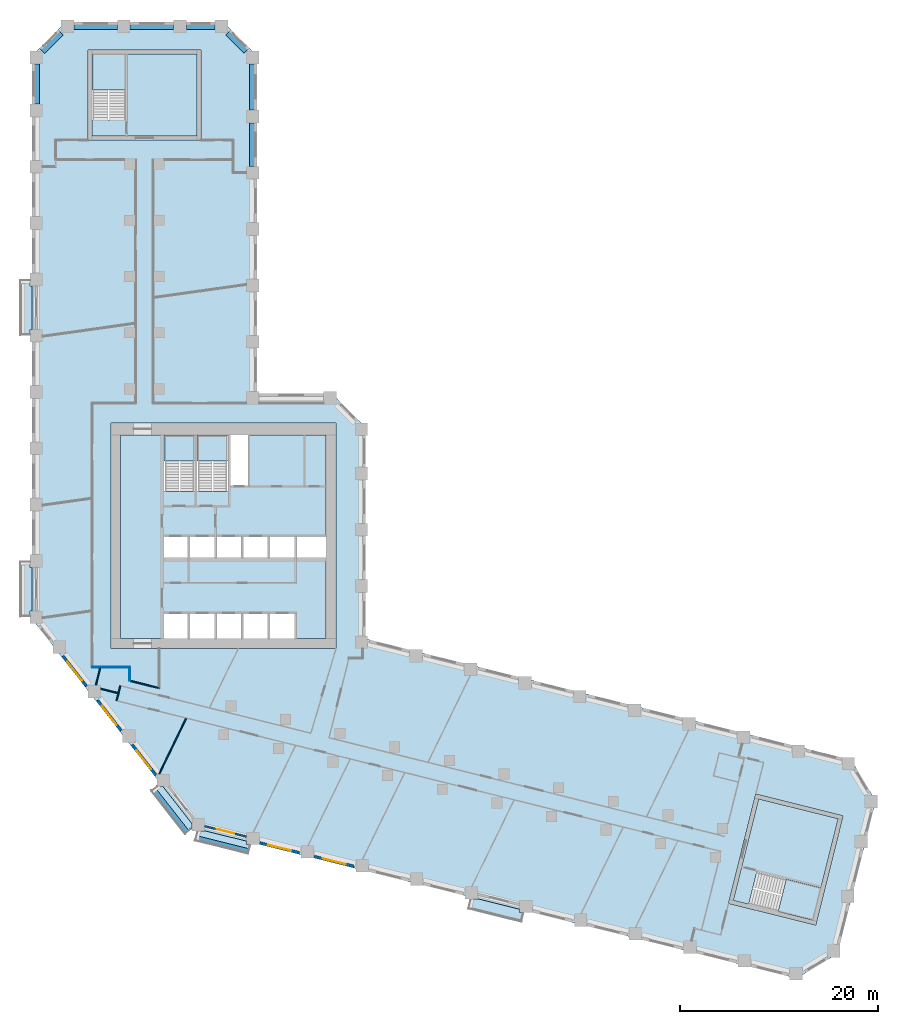
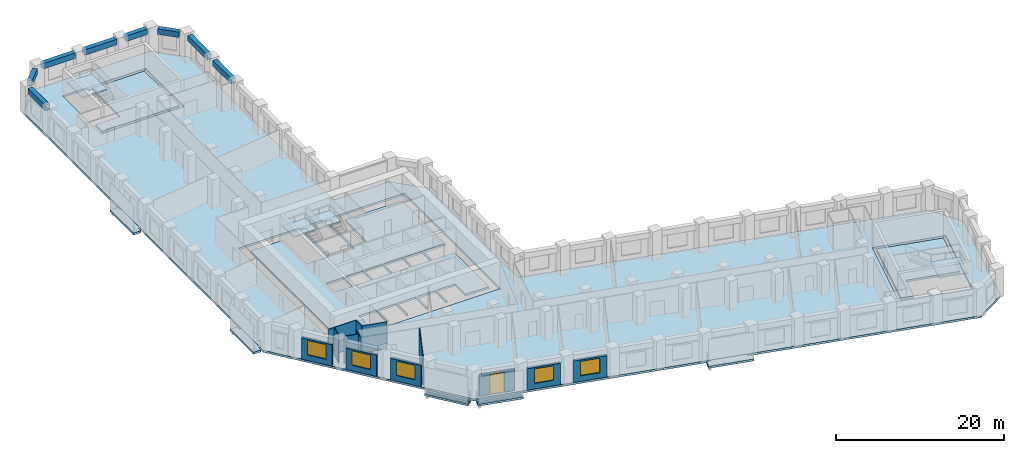
# One storey, part 2 of 11: 15 walls, 13 slabs, 8 beams, 5 windows, 1 door, 6 openings, 4 elements without a shape of their own.
"""IFC4 building model written with IfcOpenShell, lengths in metres."""

from ifc_helpers import new_model, si_unit, direction, frame, frame_2d, origin, origin_2d, place, context, subcontext, project, spatial, polyline, rectangle, outline, extrude, material, layer, layer_set, material_profile, profile_set, type_object, element, fill, aggregate, save


model = new_model("IFC4")

# Units and contexts
model_context = context("Model", 3, precision=1e-05, world=origin(), true_north=direction((0.0, 1.0)))
body_context = subcontext(model_context, "Body", "Model", "MODEL_VIEW")
ifc_project = project(units=[si_unit("LENGTHUNIT", "METRE"), si_unit("AREAUNIT", "SQUARE_METRE"), si_unit("VOLUMEUNIT", "CUBIC_METRE"), si_unit("PLANEANGLEUNIT", "RADIAN"), si_unit("MASSUNIT", "GRAM", prefix="KILO")], contexts=[model_context])

# Site, building, storey
site_placement = place(None, origin())
site = spatial("IfcSite", under=ifc_project, at=site_placement, CompositionType="ELEMENT")
building_placement = place(site_placement, origin())
building = spatial("IfcBuilding", under=site, at=building_placement, Name="Meshkara Civic Tower", CompositionType="ELEMENT")
storey_placement = place(building_placement, frame((0.0, 0.0, 101.39990234375)))
storey = spatial("IfcBuildingStorey", under=building, at=storey_placement, Name="L22", CompositionType="ELEMENT", Elevation=101.39990234375)

# Beams
ifc_material_1 = material(Name="Concrete C70", Category="concrete")
ifc_material_profile = material_profile(ifc_material_1, rectangle(XDim=0.60009765625, YDim=0.800048828125, at=origin_2d()))
ifc_profile_set = profile_set([ifc_material_profile], Name="Concrete C70")
beam_type = type_object("IfcBeamType", Name="Spandrel beam RC 600x800 C70", PredefinedType="BEAM", material=ifc_profile_set)
beam_1_placement = place(storey_placement, frame((22.35009765625, 62.89501953125, 3.5), z_axis=(0.0, 1.0, 0.0), x_axis=(-1.0, 0.0, 0.0)))
element("IfcBeam", 1, at=beam_1_placement, inside=storey, type_object=beam_type, Name="Spandrel beam AE04-AE05", PredefinedType="BEAM", context=body_context, shape_type="SweptSolid", body=[
    extrude(rectangle(XDim=0.60009765625, YDim=0.800048828125, at=origin_2d()), origin(), (0.0, 0.0, 1.0), 4.409912109375),
])
beam_2_placement = place(storey_placement, frame((22.35009765625, 68.594970703125, 3.5), z_axis=(0.0, 1.0, 0.0), x_axis=(-1.0, 0.0, 0.0)))
element("IfcBeam", 2, at=beam_2_placement, inside=storey, type_object=beam_type, Name="Spandrel beam AE05-AEEP1", PredefinedType="BEAM", context=body_context, shape_type="SweptSolid", body=[
    extrude(rectangle(XDim=0.60009765625, YDim=0.800048828125, at=origin_2d()), origin(), (0.0, 0.0, 1.0), 4.674072265625),
])
beam_3_placement = place(storey_placement, frame((21.70361328125, 74.560546875, 3.5), z_axis=(-0.707106781187, 0.707106781187, 0.0), x_axis=(-0.707106781187, -0.707106781187, 0.0)))
element("IfcBeam", 3, at=beam_3_placement, inside=storey, type_object=beam_type, Name="Spandrel beam AEEP1-ATiEP1", PredefinedType="BEAM", context=body_context, shape_type="SweptSolid", body=[
    extrude(rectangle(XDim=0.60009765625, YDim=0.800048828125, at=origin_2d()), origin(), (0.0, 0.0, 1.0), 2.634765625),
])
beam_4_placement = place(storey_placement, frame((18.549072265625, 77.070068359375, 3.5), z_axis=(-1.0, 0.0, 0.0), x_axis=(0.0, -1.0, 0.0)))
element("IfcBeam", 4, at=beam_4_placement, inside=storey, type_object=beam_type, Name="Spandrel beam AT02-P1-ATiEP1", PredefinedType="BEAM", context=body_context, shape_type="SweptSolid", body=[
    extrude(rectangle(XDim=0.60009765625, YDim=0.800048828125, at=origin_2d()), origin(), (0.0, 0.0, 1.0), 2.898193359375),
])
beam_5_placement = place(storey_placement, frame((14.361083984375, 77.070068359375, 3.5), z_axis=(-1.0, 0.0, 0.0), x_axis=(0.0, -1.0, 0.0)))
element("IfcBeam", 5, at=beam_5_placement, inside=storey, type_object=beam_type, Name="Spandrel beam AT01-P1-AT02-P1", PredefinedType="BEAM", context=body_context, shape_type="SweptSolid", body=[
    extrude(rectangle(XDim=0.60009765625, YDim=0.800048828125, at=origin_2d()), origin(), (0.0, 0.0, 1.0), 4.41015625),
])
beam_6_placement = place(storey_placement, frame((8.660888671875, 77.070068359375, 3.5), z_axis=(-1.0, 0.0, 0.0), x_axis=(0.0, -1.0, 0.0)))
element("IfcBeam", 6, at=beam_6_placement, inside=storey, type_object=beam_type, Name="Spandrel beam AT00-P1-AT01-P1", PredefinedType="BEAM", context=body_context, shape_type="SweptSolid", body=[
    extrude(rectangle(XDim=0.60009765625, YDim=0.800048828125, at=origin_2d()), origin(), (0.0, 0.0, 1.0), 4.409912109375),
])
beam_7_placement = place(storey_placement, frame((2.95947265625, 76.423583984375, 3.5), z_axis=(-0.707106781187, -0.707106781187, 0.0), x_axis=(0.707106781187, -0.707106781187, 0.0)))
element("IfcBeam", 7, at=beam_7_placement, inside=storey, type_object=beam_type, Name="Spandrel beam AT00-P1-ATo00-P1", PredefinedType="BEAM", context=body_context, shape_type="SweptSolid", body=[
    extrude(rectangle(XDim=0.60009765625, YDim=0.800048828125, at=origin_2d()), origin(), (0.0, 0.0, 1.0), 2.634765625),
])
beam_8_placement = place(storey_placement, frame((0.449951171875, 73.26904296875, 3.5), z_axis=(0.0, -1.0, 0.0), x_axis=(1.0, 0.0, 0.0)))
element("IfcBeam", 8, at=beam_8_placement, inside=storey, type_object=beam_type, Name="Spandrel beam ATo00-P1-AW09", PredefinedType="BEAM", context=body_context, shape_type="SweptSolid", body=[
    extrude(rectangle(XDim=0.60009765625, YDim=0.800048828125, at=origin_2d()), origin(), (0.0, 0.0, 1.0), 4.069091796875),
])

# Slabs
ifc_material_2 = material(Name="Concrete C40", Category="concrete")
ifc_layer_1 = layer(ifc_material_2, 0.300048828125)
ifc_layer_set_1 = layer_set([ifc_layer_1], Name="BALCONY SLAB")
slab_type_1 = type_object("IfcSlabType", Name="BALCONY SLAB", PredefinedType="FLOOR", material=ifc_layer_set_1)
slab_1_placement = place(storey_placement, frame((0.0, 0.0, -0.2998046875)))
element("IfcSlab", 9, at=slab_1_placement, inside=storey, type_object=slab_type_1, Name="Balcony slab", PredefinedType="FLOOR", context=body_context, shape_type="SweptSolid", body=[
    extrude(outline(polyline([(-1.199951171875, 45.81494140625), (-1.199951171875, 51.39501953125), (-0.199951171875, 51.39501953125), (-0.199951171875, 50.804931640625), (0.0, 50.804931640625), (0.0, 46.405029296875), (-0.199951171875, 46.405029296875), (-0.199951171875, 45.81494140625), (-1.199951171875, 45.81494140625)])), origin(), (0.0, 0.0, 1.0), 0.2998046875),
])
slab_2_placement = place(storey_placement, frame((0.0, 0.0, -0.2998046875)))
element("IfcSlab", 10, at=slab_2_placement, inside=storey, type_object=slab_type_1, Name="Balcony slab", PredefinedType="FLOOR", context=body_context, shape_type="SweptSolid", body=[
    extrude(outline(polyline([(-1.199951171875, 17.31494140625), (-1.199951171875, 22.89501953125), (-0.199951171875, 22.89501953125), (-0.199951171875, 22.304931640625), (0.0, 22.304931640625), (0.0, 17.905029296875), (-0.199951171875, 17.905029296875), (-0.199951171875, 17.31494140625), (-1.199951171875, 17.31494140625)])), origin(), (0.0, 0.0, 1.0), 0.2998046875),
])
slab_3_placement = place(storey_placement, frame((0.0, 0.0, -0.2998046875)))
element("IfcSlab", 11, at=slab_3_placement, inside=storey, type_object=slab_type_1, Name="Balcony slab", PredefinedType="FLOOR", context=body_context, shape_type="SweptSolid", body=[
    extrude(outline(polyline([(15.513916015625, -4.7060546875), (12.0791015625, -0.30908203125), (12.69189453125, 0.169921875), (12.69189453125, 0.10400390625), (13.279052734375, 0.10400390625), (16.200927734375, -3.636962890625), (16.200927734375, -4.169921875), (15.513916015625, -4.7060546875)])), origin(), (0.0, 0.0, 1.0), 0.2998046875),
])
slab_4_placement = place(storey_placement, frame((0.0, 0.0, -0.2998046875)))
element("IfcSlab", 12, at=slab_4_placement, inside=storey, type_object=slab_type_1, Name="Balcony slab", PredefinedType="FLOOR", context=body_context, shape_type="SweptSolid", body=[
    extrude(outline(polyline([(21.925048828125, -6.702880859375), (16.510009765625, -5.35302734375), (16.7509765625, -4.387939453125), (17.5009765625, -4.387939453125), (17.5009765625, -4.364013671875), (21.73193359375, -5.41796875), (21.73193359375, -5.76708984375), (22.157958984375, -5.76708984375), (21.925048828125, -6.702880859375)])), origin(), (0.0, 0.0, 1.0), 0.2998046875),
])
slab_5_placement = place(storey_placement, frame((0.0, 0.0, -0.2998046875)))
element("IfcSlab", 13, at=slab_5_placement, inside=storey, type_object=slab_type_1, Name="Balcony slab", PredefinedType="FLOOR", context=body_context, shape_type="SweptSolid", body=[
    extrude(outline(polyline([(49.577880859375, -13.597900390625), (44.1640625, -12.248046875), (44.405029296875, -11.281982421875), (45.155029296875, -11.281982421875), (45.155029296875, -11.258056640625), (49.385009765625, -12.31298828125), (49.385009765625, -12.660888671875), (49.81103515625, -12.660888671875), (49.577880859375, -13.597900390625)])), origin(), (0.0, 0.0, 1.0), 0.2998046875),
])
ifc_material_3 = material(Name="Concrete C40/50", Category="concrete")
ifc_layer_2 = layer(ifc_material_3, 0.300048828125)
ifc_layer_set_2 = layer_set([ifc_layer_2], Name="Core floor slab 300 C40/50")
slab_type_2 = type_object("IfcSlabType", Name="Core floor slab 300 C40/50", PredefinedType="FLOOR", material=ifc_layer_set_2)
slab_6_placement = place(storey_placement, frame((0.0, 0.0, -0.2998046875)))
element("IfcSlab", 14, at=slab_6_placement, inside=storey, type_object=slab_type_2, Name="Core floor K", PredefinedType="FLOOR", context=body_context, shape_type="SweptSolid", body=[
    extrude(outline(polyline([(9.0, 35.699951171875), (13.39990234375, 35.699951171875), (13.39990234375, 30.00146484375), (16.5, 30.00146484375), (16.5, 35.699951171875), (16.699951171875, 35.699951171875), (16.699951171875, 30.00146484375), (19.89990234375, 30.00146484375), (19.89990234375, 35.699951171875), (20.10009765625, 35.699951171875), (20.10009765625, 30.574951171875), (21.925048828125, 30.574951171875), (21.925048828125, 35.699951171875), (29.800048828125, 35.699951171875), (29.800048828125, 25.39990234375), (26.800048828125, 25.39990234375), (26.800048828125, 23.300048828125), (29.800048828125, 23.300048828125), (29.800048828125, 15.10009765625), (26.60009765625, 15.10009765625), (26.60009765625, 17.60009765625), (24.10009765625, 17.60009765625), (24.10009765625, 15.10009765625), (23.89990234375, 15.10009765625), (23.89990234375, 17.60009765625), (21.39990234375, 17.60009765625), (21.39990234375, 15.10009765625), (21.199951171875, 15.10009765625), (21.199951171875, 17.60009765625), (18.699951171875, 17.60009765625), (18.699951171875, 15.10009765625), (18.5, 15.10009765625), (18.5, 17.60009765625), (16.0, 17.60009765625), (16.0, 15.10009765625), (15.800048828125, 15.10009765625), (15.800048828125, 17.60009765625), (13.39990234375, 17.60009765625), (13.39990234375, 15.10009765625), (9.0, 15.10009765625), (9.0, 35.699951171875)]), holes=[polyline([(13.39990234375, 25.39990234375), (13.39990234375, 23.300048828125), (15.800048828125, 23.300048828125), (15.800048828125, 25.39990234375), (13.39990234375, 25.39990234375)]), polyline([(18.5, 23.300048828125), (18.5, 25.39990234375), (16.0, 25.39990234375), (16.0, 23.300048828125), (18.5, 23.300048828125)]), polyline([(18.699951171875, 25.39990234375), (18.699951171875, 23.300048828125), (21.199951171875, 23.300048828125), (21.199951171875, 25.39990234375), (18.699951171875, 25.39990234375)]), polyline([(23.89990234375, 23.300048828125), (23.89990234375, 25.39990234375), (21.39990234375, 25.39990234375), (21.39990234375, 23.300048828125), (23.89990234375, 23.300048828125)]), polyline([(26.60009765625, 23.300048828125), (26.60009765625, 25.39990234375), (24.10009765625, 25.39990234375), (24.10009765625, 23.300048828125), (26.60009765625, 23.300048828125)])]), origin(), (0.0, 0.0, 1.0), 0.2998046875),
])
slab_7_placement = place(storey_placement, frame((0.0, 0.0, -0.2998046875)))
element("IfcSlab", 15, at=slab_7_placement, inside=storey, type_object=slab_type_2, Name="Core floor EA", PredefinedType="FLOOR", context=body_context, shape_type="SweptSolid", body=[
    extrude(outline(polyline([(16.699951171875, 65.969970703125), (16.699951171875, 74.27001953125), (9.5, 74.27001953125), (9.5, 67.571533203125), (6.10009765625, 67.571533203125), (6.10009765625, 65.969970703125), (16.699951171875, 65.969970703125)])), origin(), (0.0, 0.0, 1.0), 0.2998046875),
])
slab_8_placement = place(storey_placement, frame((0.0, 0.0, -0.2998046875)))
element("IfcSlab", 16, at=slab_8_placement, inside=storey, type_object=slab_type_2, Name="Core floor EB", PredefinedType="FLOOR", context=body_context, shape_type="SweptSolid", body=[
    extrude(outline(polyline([(73.581298828125, -1.134521484375), (81.634521484375, -3.142578125), (79.892822265625, -10.128662109375), (73.393310546875, -8.508056640625), (72.57080078125, -11.80712890625), (71.016845703125, -11.419677734375), (73.581298828125, -1.134521484375)])), origin(), (0.0, 0.0, 1.0), 0.2998046875),
])

# Stair, slab
ifc_material_4 = material(Name="Precast concrete C40/50", Category="concrete")
stair_type_1 = type_object("IfcStairType", Name="Exit stair half-turn 24 risers precast", PredefinedType="HALF_TURN_STAIR", material=ifc_material_4)
stair_1_placement = place(storey_placement, origin())
stair_1 = element("IfcStair", 17, at=stair_1_placement, inside=storey, type_object=stair_type_1, Name="L22 exit stair 1", PredefinedType="HALF_TURN_STAIR")
ifc_material_5 = material(Name="Precast concrete C40/50", Category="concrete")
ifc_layer_3 = layer(ifc_material_5, 0.199951171875)
ifc_layer_set_3 = layer_set([ifc_layer_3], Name="Exit stair landing 200")
slab_type_3 = type_object("IfcSlabType", Name="Exit stair landing 200", PredefinedType="LANDING", material=ifc_layer_set_3)
slab_9_placement = place(storey_placement, frame((0.0, 0.0, 1.900146484375)))
slab_9 = element("IfcSlab", 18, at=slab_9_placement, type_object=slab_type_3, Name="ST1 landing 1", PredefinedType="LANDING", context=body_context, shape_type="SweptSolid", body=[
    extrude(outline(polyline([(16.5, 33.07861328125), (16.5, 35.699951171875), (13.39990234375, 35.699951171875), (13.39990234375, 33.07861328125), (16.5, 33.07861328125)])), origin(), (0.0, 0.0, 1.0), 0.199951171875),
])
aggregate(stair_1, [slab_9])

stair_2_placement = place(storey_placement, origin())
stair_2 = element("IfcStair", 19, at=stair_2_placement, inside=storey, type_object=stair_type_1, Name="L22 exit stair 2", PredefinedType="HALF_TURN_STAIR")
slab_10_placement = place(storey_placement, frame((0.0, 0.0, 1.900146484375)))
slab_10 = element("IfcSlab", 20, at=slab_10_placement, type_object=slab_type_3, Name="ST2 landing 1", PredefinedType="LANDING", context=body_context, shape_type="SweptSolid", body=[
    extrude(outline(polyline([(19.89990234375, 33.07861328125), (19.89990234375, 35.699951171875), (16.699951171875, 35.699951171875), (16.699951171875, 33.07861328125), (19.89990234375, 33.07861328125)])), origin(), (0.0, 0.0, 1.0), 0.199951171875),
])
aggregate(stair_2, [slab_10])

ifc_material_6 = material(Name="Precast concrete C40/50", Category="concrete")
stair_type_2 = type_object("IfcStairType", Name="Exit stair half-turn 24 risers 1600 precast", PredefinedType="HALF_TURN_STAIR", material=ifc_material_6)
stair_3_placement = place(storey_placement, origin())
stair_3 = element("IfcStair", 21, at=stair_3_placement, inside=storey, type_object=stair_type_2, Name="L22 exit stair A from L20", PredefinedType="HALF_TURN_STAIR")
slab_11_placement = place(storey_placement, frame((0.0, 0.0, 1.900146484375)))
slab_11 = element("IfcSlab", 22, at=slab_11_placement, type_object=slab_type_3, Name="ESA2 landing 1", PredefinedType="LANDING", context=body_context, shape_type="SweptSolid", body=[
    extrude(outline(polyline([(9.5, 70.6484375), (9.5, 74.27001953125), (6.10009765625, 74.27001953125), (6.10009765625, 70.6484375), (9.5, 70.6484375)])), origin(), (0.0, 0.0, 1.0), 0.199951171875),
])
aggregate(stair_3, [slab_11])

stair_4_placement = place(storey_placement, origin())
stair_4 = element("IfcStair", 23, at=stair_4_placement, inside=storey, type_object=stair_type_2, Name="L22 exit stair B from L20", PredefinedType="HALF_TURN_STAIR")
slab_12_placement = place(storey_placement, frame((0.0, 0.0, 1.900146484375)))
slab_12 = element("IfcSlab", 24, at=slab_12_placement, type_object=slab_type_3, Name="ESB2 landing 1", PredefinedType="LANDING", context=body_context, shape_type="SweptSolid", body=[
    extrude(outline(polyline([(75.5556640625, -12.55224609375), (79.06982421875, -13.428955078125), (79.89306640625, -10.12890625), (76.379150390625, -9.25244140625), (75.5556640625, -12.55224609375)])), origin(), (0.0, 0.0, 1.0), 0.199951171875),
])
aggregate(stair_4, [slab_12])

# Slab
ifc_material_7 = material(Name="Concrete C50", Category="concrete")
ifc_layer_4 = layer(ifc_material_7, 0.300048828125)
ifc_layer_set_4 = layer_set([ifc_layer_4], Name="Post-tensioned flat slab 300 C50")
slab_type_4 = type_object("IfcSlabType", Name="Post-tensioned flat slab 300 C50", PredefinedType="FLOOR", material=ifc_layer_set_4)
slab_13_placement = place(storey_placement, frame((0.0, 0.0, -0.2998046875)))
element("IfcSlab", 25, at=slab_13_placement, inside=storey, type_object=slab_type_4, Name="Post-tensioned flat slab L22", PredefinedType="FLOOR", context=body_context, shape_type="SweptSolid", body=[
    extrude(outline(polyline([(81.574951171875, -16.81396484375), (77.429931640625, -19.304931640625), (16.592041015625, -4.136962890625), (0.0, 17.10009765625), (0.0, 74.10009765625), (3.419921875, 77.52001953125), (19.3798828125, 77.52001953125), (22.800048828125, 74.10009765625), (22.800048828125, 39.89990234375), (30.3798828125, 39.89990234375), (33.800048828125, 36.47998046875), (33.800048828125, 15.071044921875), (82.945068359375, 2.81689453125), (85.43603515625, -1.327880859375), (81.574951171875, -16.81396484375)]), holes=[polyline([(79.362060546875, -13.9130859375), (82.1201171875, -2.85107421875), (73.2900390625, -0.64990234375), (70.531982421875, -11.7109375), (79.362060546875, -13.9130859375)]), polyline([(8.0, 14.10009765625), (30.800048828125, 14.10009765625), (30.800048828125, 36.89990234375), (8.0, 36.89990234375), (8.0, 14.10009765625)]), polyline([(5.699951171875, 74.669921875), (5.699951171875, 65.570068359375), (17.10009765625, 65.570068359375), (17.10009765625, 74.669921875), (5.699951171875, 74.669921875)])]), origin(), (0.0, 0.0, 1.0), 0.2998046875),
])

# Walls
ifc_material_8 = material(Name="Corridor wall 100")
ifc_layer_5 = layer(ifc_material_8, 0.10009765625)
ifc_layer_set_5 = layer_set([ifc_layer_5], Name="Corridor wall 100")
wall_type_1 = type_object("IfcWallType", Name="Corridor wall 100", PredefinedType="PARTITIONING", material=ifc_layer_set_5)
wall_1_placement = place(storey_placement, frame((6.10009765625, 12.199951171875, 0.0), z_axis=(0.0, 0.0, 1.0), x_axis=(1.0, 0.0, 0.0)))
element("IfcWall", 26, at=wall_1_placement, inside=storey, type_object=wall_type_1, Name="L22-W005", PredefinedType="PARTITIONING", context=body_context, shape_type="SweptSolid", body=[
    extrude(rectangle(XDim=3.7998046875, YDim=0.10009765625, at=frame_2d((1.89990234375, 0.0))), origin(), (0.0, 0.0, 1.0), 3.900146484375),
])
wall_2_placement = place(storey_placement, frame((8.9580078125, 10.322998046875, 0.0), z_axis=(0.0, 0.0, 1.0), x_axis=(-0.241875508386, -0.97030729073, 0.0)))
element("IfcWall", 27, at=wall_2_placement, inside=storey, type_object=wall_type_1, Name="L22-W008", PredefinedType="PARTITIONING", context=body_context, shape_type="SweptSolid", body=[
    extrude(rectangle(XDim=1.566650390625, YDim=0.10009765625, at=frame_2d((0.783203125, 0.0))), origin(), (0.0, 0.0, 1.0), 3.900146484375),
])
wall_3_placement = place(storey_placement, frame((9.89990234375, 10.825927734375, 0.0), z_axis=(0.0, 0.0, 1.0), x_axis=(0.970290953223, -0.241941038466, 0.0)))
element("IfcWall", 28, at=wall_3_placement, inside=storey, type_object=wall_type_1, Name="L22-W009", PredefinedType="PARTITIONING", context=body_context, shape_type="SweptSolid", body=[
    extrude(rectangle(XDim=3.091796875, YDim=0.10009765625, at=frame_2d((1.5458984375, 0.0))), origin(), (0.0, 0.0, 1.0), 3.900146484375),
])
wall_4_placement = place(storey_placement, frame((9.89990234375, 12.199951171875, 0.0), z_axis=(0.0, 0.0, 1.0), x_axis=(0.0, -1.0, 0.0)))
element("IfcWall", 29, at=wall_4_placement, inside=storey, type_object=wall_type_1, Name="L22-W010", PredefinedType="PARTITIONING", context=body_context, shape_type="SweptSolid", body=[
    extrude(rectangle(XDim=1.3740234375, YDim=0.10009765625, at=frame_2d((0.68701171875, 0.0))), origin(), (0.0, 0.0, 1.0), 3.900146484375),
])

# Wall, opening, window
ifc_material_9 = material(Name="Insulated infill panel with bronze anodised aluminium cladding", Category="aluminium")
ifc_layer_6 = layer(ifc_material_9, 0.300048828125)
ifc_layer_set_6 = layer_set([ifc_layer_6], Name="EXTERNAL INFILL WALL 300")
wall_type_2 = type_object("IfcWallType", Name="EXTERNAL INFILL WALL 300", PredefinedType="SOLIDWALL", material=ifc_layer_set_6)
wall_5_placement = place(storey_placement, frame((3.138916015625, 13.324951171875, 0.0), z_axis=(0.0, 0.0, 1.0), x_axis=(0.615779754703, -0.787918329332, 0.0)))
wall_5 = element("IfcWall", 30, at=wall_5_placement, inside=storey, type_object=wall_type_2, Name="External wall", PredefinedType="SOLIDWALL", context=body_context, shape_type="SweptSolid", body=[
    extrude(rectangle(XDim=3.874755859375, YDim=0.300048828125, at=frame_2d((1.9375, 0.0))), origin(), (0.0, 0.0, 1.0), 3.10009765625),
])
opening_1_placement = place(wall_5_placement, frame((0.738037109375, 0.0, 0.800048828125)))
opening_1 = element("IfcOpeningElement", 31, at=opening_1_placement, cuts=wall_5, Name="Opening W7", PredefinedType="OPENING", context=body_context, shape_type="SweptSolid", body=[
    extrude(rectangle(XDim=2.39990234375, YDim=2.10009765625, at=frame_2d((1.199951171875, 1.050048828125))), frame((0.0, 0.159912109375, 0.0), z_axis=(0.0, -1.0, 0.0), x_axis=(1.0, 0.0, 0.0)), (0.0, 0.0, 1.0), 0.320068359375),
])
ifc_material_10 = material(Name="Tinted double glazing", Category="glass")
window_type = type_object("IfcWindowType", Name="WINDOW 2400x2100", PartitioningType="DOUBLE_PANEL_VERTICAL", PredefinedType="WINDOW", material=ifc_material_10)
window_1_placement = place(opening_1_placement, origin())
window_1 = element("IfcWindow", 32, at=window_1_placement, inside=storey, type_object=window_type, Name="Window", OverallHeight=2.10009765625, OverallWidth=2.39990234375, PartitioningType="DOUBLE_PANEL_VERTICAL", PredefinedType="WINDOW", context=body_context, shape_type="SweptSolid", body=[
    extrude(rectangle(XDim=2.39990234375, YDim=2.10009765625, at=frame_2d((1.199951171875, 1.050048828125))), frame((0.0, 0.030029296875, 0.0), z_axis=(0.0, -1.0, 0.0), x_axis=(1.0, 0.0, 0.0)), (0.0, 0.0, 1.0), 0.06005859375),
])
fill(opening_1, window_1)

wall_6_placement = place(storey_placement, frame((6.64892578125, 8.833984375, 0.0), z_axis=(0.0, 0.0, 1.0), x_axis=(0.615535257281, -0.788109349674, 0.0)))
wall_6 = element("IfcWall", 33, at=wall_6_placement, inside=storey, type_object=wall_type_2, Name="External wall", PredefinedType="SOLIDWALL", context=body_context, shape_type="SweptSolid", body=[
    extrude(rectangle(XDim=3.876220703125, YDim=0.300048828125, at=frame_2d((1.93798828125, 0.0))), origin(), (0.0, 0.0, 1.0), 3.10009765625),
])
opening_2_placement = place(wall_6_placement, frame((0.738037109375, 0.0, 0.800048828125)))
opening_2 = element("IfcOpeningElement", 34, at=opening_2_placement, cuts=wall_6, Name="Opening W7", PredefinedType="OPENING", context=body_context, shape_type="SweptSolid", body=[
    extrude(rectangle(XDim=2.39990234375, YDim=2.10009765625, at=frame_2d((1.199951171875, 1.050048828125))), frame((0.0, 0.159912109375, 0.0), z_axis=(0.0, -1.0, 0.0), x_axis=(1.0, 0.0, 0.0)), (0.0, 0.0, 1.0), 0.320068359375),
])
window_2_placement = place(opening_2_placement, origin())
window_2 = element("IfcWindow", 35, at=window_2_placement, inside=storey, type_object=window_type, Name="Window", OverallHeight=2.10009765625, OverallWidth=2.39990234375, PartitioningType="DOUBLE_PANEL_VERTICAL", PredefinedType="WINDOW", context=body_context, shape_type="SweptSolid", body=[
    extrude(rectangle(XDim=2.39990234375, YDim=2.10009765625, at=frame_2d((1.199951171875, 1.050048828125))), frame((0.0, 0.030029296875, 0.0), z_axis=(0.0, -1.0, 0.0), x_axis=(1.0, 0.0, 0.0)), (0.0, 0.0, 1.0), 0.06005859375),
])
fill(opening_2, window_2)

wall_7_placement = place(storey_placement, frame((10.157958984375, 4.341064453125, 0.0), z_axis=(0.0, 0.0, 1.0), x_axis=(0.615779754703, -0.787918329332, 0.0)))
wall_7 = element("IfcWall", 36, at=wall_7_placement, inside=storey, type_object=wall_type_2, Name="External wall", PredefinedType="SOLIDWALL", context=body_context, shape_type="SweptSolid", body=[
    extrude(rectangle(XDim=3.874755859375, YDim=0.300048828125, at=frame_2d((1.9375, 0.0))), origin(), (0.0, 0.0, 1.0), 3.10009765625),
])
opening_3_placement = place(wall_7_placement, frame((0.737060546875, 0.0, 0.800048828125)))
opening_3 = element("IfcOpeningElement", 37, at=opening_3_placement, cuts=wall_7, Name="Opening W7", PredefinedType="OPENING", context=body_context, shape_type="SweptSolid", body=[
    extrude(rectangle(XDim=2.39990234375, YDim=2.10009765625, at=frame_2d((1.199951171875, 1.050048828125))), frame((0.0, 0.159912109375, 0.0), z_axis=(0.0, -1.0, 0.0), x_axis=(1.0, 0.0, 0.0)), (0.0, 0.0, 1.0), 0.320068359375),
])
window_3_placement = place(opening_3_placement, origin())
window_3 = element("IfcWindow", 38, at=window_3_placement, inside=storey, type_object=window_type, Name="Window", OverallHeight=2.10009765625, OverallWidth=2.39990234375, PartitioningType="DOUBLE_PANEL_VERTICAL", PredefinedType="WINDOW", context=body_context, shape_type="SweptSolid", body=[
    extrude(rectangle(XDim=2.39990234375, YDim=2.10009765625, at=frame_2d((1.199951171875, 1.050048828125))), frame((0.0, 0.030029296875, 0.0), z_axis=(0.0, -1.0, 0.0), x_axis=(1.0, 0.0, 0.0)), (0.0, 0.0, 1.0), 0.06005859375),
])
fill(opening_3, window_3)

wall_8_placement = place(storey_placement, frame((23.073974609375, -5.597900390625, 0.0), z_axis=(0.0, 0.0, 1.0), x_axis=(0.970267747908, -0.242034083076, 0.0)))
wall_8 = element("IfcWall", 39, at=wall_8_placement, inside=storey, type_object=wall_type_2, Name="External wall", PredefinedType="SOLIDWALL", context=body_context, shape_type="SweptSolid", body=[
    extrude(rectangle(XDim=4.12353515625, YDim=0.300048828125, at=frame_2d((2.061767578125, 0.0))), origin(), (0.0, 0.0, 1.0), 3.10009765625),
])
opening_4_placement = place(wall_8_placement, frame((0.862060546875, 0.0, 0.800048828125)))
opening_4 = element("IfcOpeningElement", 40, at=opening_4_placement, cuts=wall_8, Name="Opening W7", PredefinedType="OPENING", context=body_context, shape_type="SweptSolid", body=[
    extrude(rectangle(XDim=2.39990234375, YDim=2.10009765625, at=frame_2d((1.199951171875, 1.050048828125))), frame((0.0, 0.159912109375, 0.0), z_axis=(0.0, -1.0, 0.0), x_axis=(1.0, 0.0, 0.0)), (0.0, 0.0, 1.0), 0.320068359375),
])
window_4_placement = place(opening_4_placement, origin())
window_4 = element("IfcWindow", 41, at=window_4_placement, inside=storey, type_object=window_type, Name="Window", OverallHeight=2.10009765625, OverallWidth=2.39990234375, PartitioningType="DOUBLE_PANEL_VERTICAL", PredefinedType="WINDOW", context=body_context, shape_type="SweptSolid", body=[
    extrude(rectangle(XDim=2.39990234375, YDim=2.10009765625, at=frame_2d((1.199951171875, 1.050048828125))), frame((0.0, 0.030029296875, 0.0), z_axis=(0.0, -1.0, 0.0), x_axis=(1.0, 0.0, 0.0)), (0.0, 0.0, 1.0), 0.06005859375),
])
fill(opening_4, window_4)

wall_9_placement = place(storey_placement, frame((28.60400390625, -6.97705078125, 0.0), z_axis=(0.0, 0.0, 1.0), x_axis=(0.970281616392, -0.241978480223, 0.0)))
wall_9 = element("IfcWall", 42, at=wall_9_placement, inside=storey, type_object=wall_type_2, Name="External wall", PredefinedType="SOLIDWALL", context=body_context, shape_type="SweptSolid", body=[
    extrude(rectangle(XDim=4.12451171875, YDim=0.300048828125, at=frame_2d((2.062255859375, 0.0))), origin(), (0.0, 0.0, 1.0), 3.10009765625),
])
opening_5_placement = place(wall_9_placement, frame((0.862060546875, 0.0, 0.800048828125)))
opening_5 = element("IfcOpeningElement", 43, at=opening_5_placement, cuts=wall_9, Name="Opening W7", PredefinedType="OPENING", context=body_context, shape_type="SweptSolid", body=[
    extrude(rectangle(XDim=2.39990234375, YDim=2.10009765625, at=frame_2d((1.199951171875, 1.050048828125))), frame((0.0, 0.159912109375, 0.0), z_axis=(0.0, -1.0, 0.0), x_axis=(1.0, 0.0, 0.0)), (0.0, 0.0, 1.0), 0.320068359375),
])
window_5_placement = place(opening_5_placement, origin())
window_5 = element("IfcWindow", 44, at=window_5_placement, inside=storey, type_object=window_type, Name="Window", OverallHeight=2.10009765625, OverallWidth=2.39990234375, PartitioningType="DOUBLE_PANEL_VERTICAL", PredefinedType="WINDOW", context=body_context, shape_type="SweptSolid", body=[
    extrude(rectangle(XDim=2.39990234375, YDim=2.10009765625, at=frame_2d((1.199951171875, 1.050048828125))), frame((0.0, 0.030029296875, 0.0), z_axis=(0.0, -1.0, 0.0), x_axis=(1.0, 0.0, 0.0)), (0.0, 0.0, 1.0), 0.06005859375),
])
fill(opening_5, window_5)

# Wall, opening, door
ifc_material_11 = material(Name="Insulated infill panel with bronze anodised aluminium cladding", Category="aluminium")
ifc_layer_7 = layer(ifc_material_11, 0.199951171875)
ifc_layer_set_7 = layer_set([ifc_layer_7], Name="LOGGIA BACK WALL 200")
wall_type_3 = type_object("IfcWallType", Name="LOGGIA BACK WALL 200", PredefinedType="SOLIDWALL", material=ifc_layer_set_7)
wall_10_placement = place(storey_placement, frame((17.5009765625, -3.89990234375, 0.0), z_axis=(0.0, 0.0, 1.0), x_axis=(0.970280666889, -0.241982287495, 0.0)))
wall_10 = element("IfcWall", 45, at=wall_10_placement, inside=storey, type_object=wall_type_3, Name="Loggia wall", PredefinedType="SOLIDWALL", context=body_context, shape_type="SweptSolid", body=[
    extrude(rectangle(XDim=4.360595703125, YDim=0.199951171875, at=frame_2d((2.18017578125, 0.0))), origin(), (0.0, 0.0, 1.0), 3.10009765625),
])
opening_6_placement = place(wall_10_placement, frame((1.280029296875, 0.0, 0.0)))
opening_6 = element("IfcOpeningElement", 46, at=opening_6_placement, cuts=wall_10, Name="Opening L22-L004", PredefinedType="OPENING", context=body_context, shape_type="SweptSolid", body=[
    extrude(rectangle(XDim=1.800048828125, YDim=2.89990234375, at=frame_2d((0.89990234375, 1.449951171875))), frame((0.0, 0.10986328125, 0.0), z_axis=(0.0, -1.0, 0.0), x_axis=(1.0, 0.0, 0.0)), (0.0, 0.0, 1.0), 0.219970703125),
])
ifc_material_12 = material(Name="Tinted double glazing", Category="glass")
door_type = type_object("IfcDoorType", Name="LOGGIA DOOR 1800x2900", OperationType="DOUBLE_DOOR_SINGLE_SWING", PredefinedType="DOOR", material=ifc_material_12)
door_placement = place(opening_6_placement, origin())
door = element("IfcDoor", 47, at=door_placement, inside=storey, type_object=door_type, Name="L22-L004", OperationType="DOUBLE_DOOR_SINGLE_SWING", OverallHeight=2.89990234375, OverallWidth=1.800048828125, PredefinedType="DOOR", context=body_context, shape_type="SweptSolid", body=[
    extrude(rectangle(XDim=1.800048828125, YDim=2.89990234375, at=frame_2d((0.89990234375, 1.449951171875))), frame((0.0, 0.02490234375, 0.0), z_axis=(0.0, -1.0, 0.0), x_axis=(1.0, 0.0, 0.0)), (0.0, 0.0, 1.0), 0.050048828125),
])
fill(opening_6, door)

# Walls
ifc_material_13 = material(Name="Concrete C40", Category="concrete")
ifc_layer_8 = layer(ifc_material_13, 0.39990234375)
ifc_layer_set_8 = layer_set([ifc_layer_8], Name="PLANTER TRAY")
wall_type_4 = type_object("IfcWallType", Name="PLANTER TRAY", PredefinedType="SOLIDWALL", material=ifc_layer_set_8)
wall_11_placement = place(storey_placement, frame((12.39794921875, -0.198974609375, 0.0), z_axis=(0.0, 0.0, 1.0), x_axis=(0.615638738903, -0.788028516719, 0.0)))
element("IfcWall", 48, at=wall_11_placement, inside=storey, type_object=wall_type_4, Name="Planter", PredefinedType="SOLIDWALL", context=body_context, shape_type="SweptSolid", body=[
    extrude(rectangle(XDim=5.3603515625, YDim=0.39990234375, at=frame_2d((2.68017578125, 0.0))), origin(), (0.0, 0.0, 1.0), 0.300048828125),
])
wall_12_placement = place(storey_placement, frame((16.694091796875, -5.069091796875, 0.0), z_axis=(0.0, 0.0, 1.0), x_axis=(0.970289679319, -0.241946147329, 0.0)))
element("IfcWall", 49, at=wall_12_placement, inside=storey, type_object=wall_type_4, Name="Planter", PredefinedType="SOLIDWALL", context=body_context, shape_type="SweptSolid", body=[
    extrude(rectangle(XDim=5.360107421875, YDim=0.39990234375, at=frame_2d((2.68017578125, 0.0))), origin(), (0.0, 0.0, 1.0), 0.300048828125),
])
ifc_material_14 = material(Name="Partition 100")
ifc_layer_9 = layer(ifc_material_14, 0.10009765625)
ifc_layer_set_9 = layer_set([ifc_layer_9], Name="Partition 100")
wall_type_5 = type_object("IfcWallType", Name="Partition 100", PredefinedType="PARTITIONING", material=ifc_layer_set_9)
wall_13_placement = place(storey_placement, frame((6.922119140625, 12.137939453125, 0.0), z_axis=(0.0, 0.0, 1.0), x_axis=(-0.242153635337, -0.970237917674, 0.0)))
element("IfcWall", 50, at=wall_13_placement, inside=storey, type_object=wall_type_5, Name="L22-W035", PredefinedType="PARTITIONING", context=body_context, shape_type="SweptSolid", body=[
    extrude(rectangle(XDim=1.8046875, YDim=0.10009765625, at=frame_2d((0.90234375, 0.0))), origin(), (0.0, 0.0, 1.0), 3.900146484375),
])
wall_14_placement = place(storey_placement, frame((8.718994140625, 9.574951171875, 0.0), z_axis=(0.0, 0.0, 1.0), x_axis=(-0.970333736057, 0.241769395645, 0.0)))
element("IfcWall", 51, at=wall_14_placement, inside=storey, type_object=wall_type_5, Name="L22-W036", PredefinedType="PARTITIONING", context=body_context, shape_type="SweptSolid", body=[
    extrude(rectangle(XDim=1.799560546875, YDim=0.10009765625, at=frame_2d((0.89990234375, 0.0))), origin(), (0.0, 0.0, 1.0), 3.900146484375),
])
wall_15_placement = place(storey_placement, frame((12.889892578125, 1.404052734375, 0.0), z_axis=(0.0, 0.0, 1.0), x_axis=(0.438326074561, 0.898816028095, 0.0)))
element("IfcWall", 52, at=wall_15_placement, inside=storey, type_object=wall_type_5, Name="L22-W038", PredefinedType="PARTITIONING", context=body_context, shape_type="SweptSolid", body=[
    extrude(rectangle(XDim=6.212646484375, YDim=0.10009765625, at=frame_2d((3.1064453125, 0.0))), origin(), (0.0, 0.0, 1.0), 3.900146484375),
])

save(model, "model.ifc")
